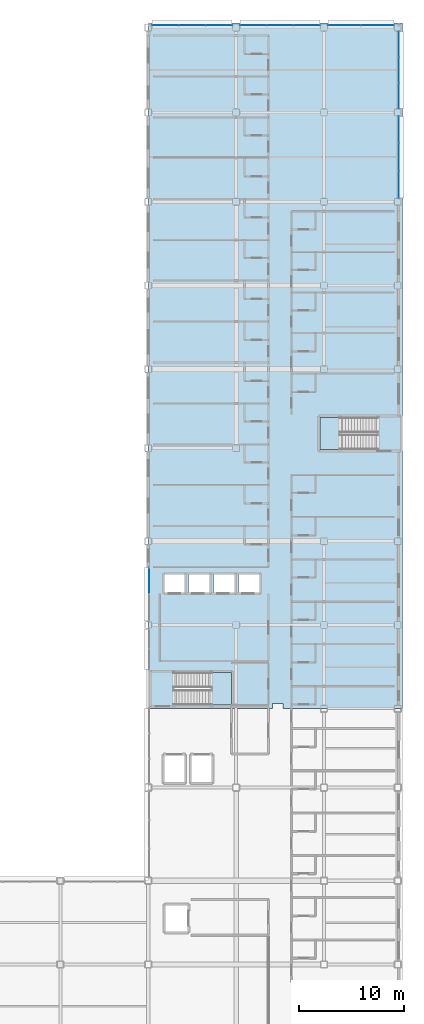
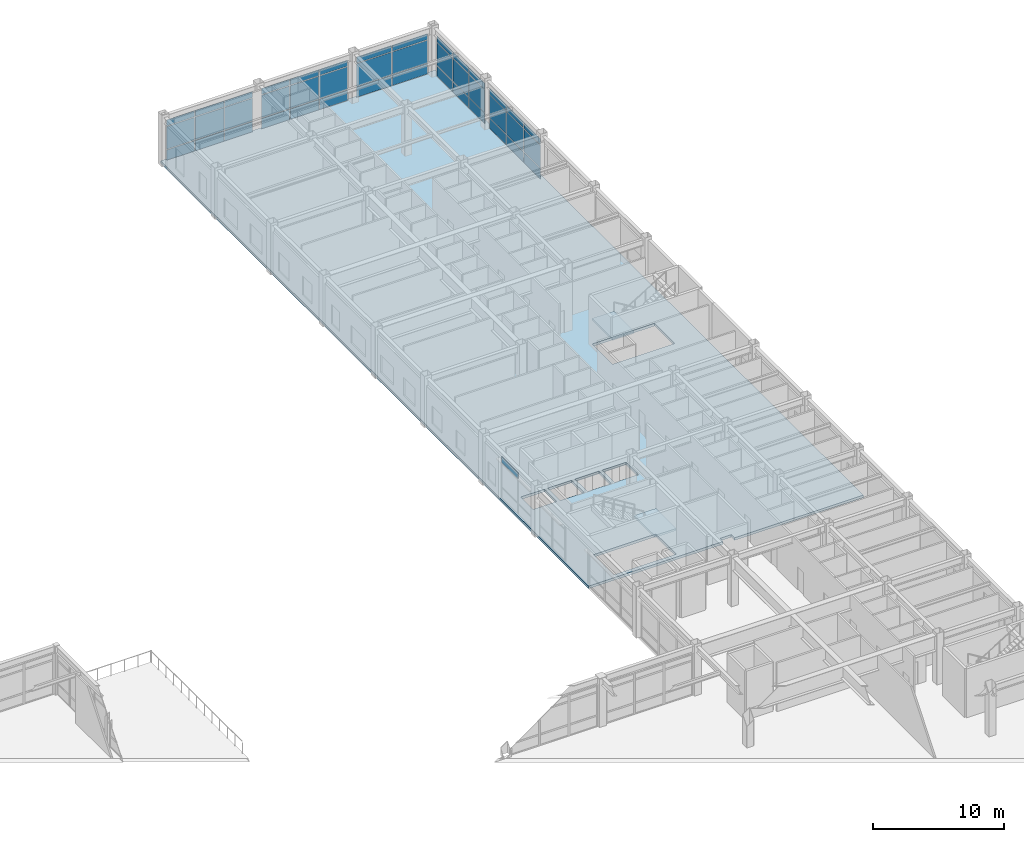
# One storey, part 71 of 93: 43 plates, 3 slabs, 8 elements without a shape of their own.
"""IFC4 building model written with IfcOpenShell, lengths in metres."""

from ifc_helpers import new_model, si_unit, direction, frame, origin, origin_2d, place, context, subcontext, project, spatial, polyline, rectangle, outline, extrude, material, layer, layer_set, type_object, element, aggregate, save


model = new_model("IFC4")

# Units and contexts
model_context = context("Model", 3, precision=1e-05, world=origin(), true_north=direction((0.0, 1.0)))
body_context = subcontext(model_context, "Body", "Model", "MODEL_VIEW")
ifc_project = project(units=[si_unit("LENGTHUNIT", "METRE"), si_unit("AREAUNIT", "SQUARE_METRE"), si_unit("VOLUMEUNIT", "CUBIC_METRE"), si_unit("PLANEANGLEUNIT", "RADIAN"), si_unit("MASSUNIT", "GRAM", prefix="KILO")], contexts=[model_context])

# Site, building, storey
site_placement = place(None, origin())
site = spatial("IfcSite", under=ifc_project, at=site_placement, CompositionType="ELEMENT")
building_placement = place(site_placement, origin())
building = spatial("IfcBuilding", under=site, at=building_placement, Name="Kazehara Bluff Congress Hotel", CompositionType="ELEMENT")
storey_placement = place(building_placement, frame((0.0, 0.0, 15.0)))
storey = spatial("IfcBuildingStorey", under=building, at=storey_placement, Name="L03", CompositionType="ELEMENT", Elevation=15.0)

# Curtain wall, plates
ifc_material_1 = material(Name="Anodised aluminium", Category="aluminium")
ifc_layer_1 = layer(ifc_material_1, 0.159912109375)
ifc_layer_set_1 = layer_set([ifc_layer_1], Name="Anodised aluminium")
curtain_wall_type_1 = type_object("IfcCurtainWallType", Name="TP-CW-147", PredefinedType="NOTDEFINED", material=ifc_layer_set_1)
curtain_wall_1_placement = place(storey_placement, origin())
curtain_wall_1 = element("IfcCurtainWall", 1, at=curtain_wall_1_placement, inside=storey, type_object=curtain_wall_type_1, Name="L03 curtain wall CW-147 CW-ENC-V5-L03-16765-10118", PredefinedType="NOTDEFINED")
ifc_material_2 = material(Name="Insulated low-E double glazing", Category="glass")
ifc_layer_2 = layer(ifc_material_2, 0.028076171875)
ifc_layer_set_2 = layer_set([ifc_layer_2], Name="Insulated low-E double glazing")
plate_type = type_object("IfcPlateType", Name="TP-CWP-01", PredefinedType="CURTAIN_PANEL", material=ifc_layer_set_2)
plate_1_placement = place(storey_placement, frame((167.64990234375, 103.7919921875, 0.06494140625), z_axis=(0.0, 0.0, 1.0), x_axis=(0.0, -1.0, 0.0)))
plate_1 = element("IfcPlate", 2, at=plate_1_placement, type_object=plate_type, Name="CW-147 panel 1.1", PredefinedType="CURTAIN_PANEL", context=body_context, shape_type="SweptSolid", body=[
    extrude(rectangle(XDim=2.535888671875, YDim=0.028076171875, at=origin_2d()), origin(), (0.0, 0.0, 1.0), 0.952392578125),
])
plate_2_placement = place(storey_placement, frame((167.64990234375, 103.7919921875, 1.08251953125), z_axis=(0.0, 0.0, 1.0), x_axis=(0.0, -1.0, 0.0)))
plate_2 = element("IfcPlate", 3, at=plate_2_placement, type_object=plate_type, Name="CW-147 panel 1.2", PredefinedType="CURTAIN_PANEL", context=body_context, shape_type="SweptSolid", body=[
    extrude(rectangle(XDim=2.535888671875, YDim=0.028076171875, at=origin_2d()), origin(), (0.0, 0.0, 1.0), 2.1201171875),
])
plate_3_placement = place(storey_placement, frame((167.64990234375, 103.7919921875, 3.267578125), z_axis=(0.0, 0.0, 1.0), x_axis=(0.0, -1.0, 0.0)))
plate_3 = element("IfcPlate", 4, at=plate_3_placement, type_object=plate_type, Name="CW-147 panel 1.3", PredefinedType="CURTAIN_PANEL", context=body_context, shape_type="SweptSolid", body=[
    extrude(rectangle(XDim=2.535888671875, YDim=0.028076171875, at=origin_2d()), origin(), (0.0, 0.0, 1.0), 0.552490234375),
])
plate_4_placement = place(storey_placement, frame((167.64990234375, 101.175048828125, 0.06494140625), z_axis=(0.0, 0.0, 1.0), x_axis=(0.0, -1.0, 0.0)))
plate_4 = element("IfcPlate", 5, at=plate_4_placement, type_object=plate_type, Name="CW-147 panel 2.1", PredefinedType="CURTAIN_PANEL", context=body_context, shape_type="SweptSolid", body=[
    extrude(rectangle(XDim=2.568359375, YDim=0.028076171875, at=origin_2d()), origin(), (0.0, 0.0, 1.0), 0.952392578125),
])
plate_5_placement = place(storey_placement, frame((167.64990234375, 101.175048828125, 1.08251953125), z_axis=(0.0, 0.0, 1.0), x_axis=(0.0, -1.0, 0.0)))
plate_5 = element("IfcPlate", 6, at=plate_5_placement, type_object=plate_type, Name="CW-147 panel 2.2", PredefinedType="CURTAIN_PANEL", context=body_context, shape_type="SweptSolid", body=[
    extrude(rectangle(XDim=2.568359375, YDim=0.028076171875, at=origin_2d()), origin(), (0.0, 0.0, 1.0), 2.1201171875),
])
plate_6_placement = place(storey_placement, frame((167.64990234375, 101.175048828125, 3.267578125), z_axis=(0.0, 0.0, 1.0), x_axis=(0.0, -1.0, 0.0)))
plate_6 = element("IfcPlate", 7, at=plate_6_placement, type_object=plate_type, Name="CW-147 panel 2.3", PredefinedType="CURTAIN_PANEL", context=body_context, shape_type="SweptSolid", body=[
    extrude(rectangle(XDim=2.568359375, YDim=0.028076171875, at=origin_2d()), origin(), (0.0, 0.0, 1.0), 0.552490234375),
])
plate_7_placement = place(storey_placement, frame((167.64990234375, 98.557861328125, 0.06494140625), z_axis=(0.0, 0.0, 1.0), x_axis=(0.0, -1.0, 0.0)))
plate_7 = element("IfcPlate", 8, at=plate_7_placement, type_object=plate_type, Name="CW-147 panel 3.1", PredefinedType="CURTAIN_PANEL", context=body_context, shape_type="SweptSolid", body=[
    extrude(rectangle(XDim=2.535888671875, YDim=0.028076171875, at=origin_2d()), origin(), (0.0, 0.0, 1.0), 0.952392578125),
])
plate_8_placement = place(storey_placement, frame((167.64990234375, 98.557861328125, 1.08251953125), z_axis=(0.0, 0.0, 1.0), x_axis=(0.0, -1.0, 0.0)))
plate_8 = element("IfcPlate", 9, at=plate_8_placement, type_object=plate_type, Name="CW-147 panel 3.2", PredefinedType="CURTAIN_PANEL", context=body_context, shape_type="SweptSolid", body=[
    extrude(rectangle(XDim=2.535888671875, YDim=0.028076171875, at=origin_2d()), origin(), (0.0, 0.0, 1.0), 2.1201171875),
])
plate_9_placement = place(storey_placement, frame((167.64990234375, 98.557861328125, 3.267578125), z_axis=(0.0, 0.0, 1.0), x_axis=(0.0, -1.0, 0.0)))
plate_9 = element("IfcPlate", 10, at=plate_9_placement, type_object=plate_type, Name="CW-147 panel 3.3", PredefinedType="CURTAIN_PANEL", context=body_context, shape_type="SweptSolid", body=[
    extrude(rectangle(XDim=2.535888671875, YDim=0.028076171875, at=origin_2d()), origin(), (0.0, 0.0, 1.0), 0.552490234375),
])
aggregate(curtain_wall_1, [plate_1, plate_2, plate_3, plate_4, plate_5, plate_6, plate_7, plate_8, plate_9])

ifc_material_3 = material(Name="Anodised aluminium", Category="aluminium")
ifc_layer_3 = layer(ifc_material_3, 0.159912109375)
ifc_layer_set_3 = layer_set([ifc_layer_3], Name="Anodised aluminium")
curtain_wall_type_2 = type_object("IfcCurtainWallType", Name="TP-CW-140", PredefinedType="NOTDEFINED", material=ifc_layer_set_3)
curtain_wall_2_placement = place(storey_placement, origin())
curtain_wall_2 = element("IfcCurtainWall", 11, at=curtain_wall_2_placement, inside=storey, type_object=curtain_wall_type_2, Name="L03 curtain wall CW-140 CW-ENC-V5-L03-16765-10950", PredefinedType="NOTDEFINED")
plate_10_placement = place(storey_placement, frame((167.64990234375, 111.967041015625, 0.06494140625), z_axis=(0.0, 0.0, 1.0), x_axis=(0.0, -1.0, 0.0)))
plate_10 = element("IfcPlate", 12, at=plate_10_placement, type_object=plate_type, Name="CW-140 panel 1.1", PredefinedType="CURTAIN_PANEL", context=body_context, shape_type="SweptSolid", body=[
    extrude(rectangle(XDim=2.3857421875, YDim=0.028076171875, at=origin_2d()), origin(), (0.0, 0.0, 1.0), 0.952392578125),
])
plate_11_placement = place(storey_placement, frame((167.64990234375, 111.967041015625, 1.08251953125), z_axis=(0.0, 0.0, 1.0), x_axis=(0.0, -1.0, 0.0)))
plate_11 = element("IfcPlate", 13, at=plate_11_placement, type_object=plate_type, Name="CW-140 panel 1.2", PredefinedType="CURTAIN_PANEL", context=body_context, shape_type="SweptSolid", body=[
    extrude(rectangle(XDim=2.3857421875, YDim=0.028076171875, at=origin_2d()), origin(), (0.0, 0.0, 1.0), 2.1201171875),
])
plate_12_placement = place(storey_placement, frame((167.64990234375, 111.967041015625, 3.267578125), z_axis=(0.0, 0.0, 1.0), x_axis=(0.0, -1.0, 0.0)))
plate_12 = element("IfcPlate", 14, at=plate_12_placement, type_object=plate_type, Name="CW-140 panel 1.3", PredefinedType="CURTAIN_PANEL", context=body_context, shape_type="SweptSolid", body=[
    extrude(rectangle(XDim=2.3857421875, YDim=0.028076171875, at=origin_2d()), origin(), (0.0, 0.0, 1.0), 0.552490234375),
])
plate_13_placement = place(storey_placement, frame((167.64990234375, 109.5, 0.06494140625), z_axis=(0.0, 0.0, 1.0), x_axis=(0.0, -1.0, 0.0)))
plate_13 = element("IfcPlate", 15, at=plate_13_placement, type_object=plate_type, Name="CW-140 panel 2.1", PredefinedType="CURTAIN_PANEL", context=body_context, shape_type="SweptSolid", body=[
    extrude(rectangle(XDim=2.418212890625, YDim=0.028076171875, at=origin_2d()), origin(), (0.0, 0.0, 1.0), 0.952392578125),
])
plate_14_placement = place(storey_placement, frame((167.64990234375, 109.5, 1.08251953125), z_axis=(0.0, 0.0, 1.0), x_axis=(0.0, -1.0, 0.0)))
plate_14 = element("IfcPlate", 16, at=plate_14_placement, type_object=plate_type, Name="CW-140 panel 2.2", PredefinedType="CURTAIN_PANEL", context=body_context, shape_type="SweptSolid", body=[
    extrude(rectangle(XDim=2.418212890625, YDim=0.028076171875, at=origin_2d()), origin(), (0.0, 0.0, 1.0), 2.1201171875),
])
plate_15_placement = place(storey_placement, frame((167.64990234375, 109.5, 3.267578125), z_axis=(0.0, 0.0, 1.0), x_axis=(0.0, -1.0, 0.0)))
plate_15 = element("IfcPlate", 17, at=plate_15_placement, type_object=plate_type, Name="CW-140 panel 2.3", PredefinedType="CURTAIN_PANEL", context=body_context, shape_type="SweptSolid", body=[
    extrude(rectangle(XDim=2.418212890625, YDim=0.028076171875, at=origin_2d()), origin(), (0.0, 0.0, 1.0), 0.552490234375),
])
plate_16_placement = place(storey_placement, frame((167.64990234375, 107.032958984375, 0.06494140625), z_axis=(0.0, 0.0, 1.0), x_axis=(0.0, -1.0, 0.0)))
plate_16 = element("IfcPlate", 18, at=plate_16_placement, type_object=plate_type, Name="CW-140 panel 3.1", PredefinedType="CURTAIN_PANEL", context=body_context, shape_type="SweptSolid", body=[
    extrude(rectangle(XDim=2.3857421875, YDim=0.028076171875, at=origin_2d()), origin(), (0.0, 0.0, 1.0), 0.952392578125),
])
plate_17_placement = place(storey_placement, frame((167.64990234375, 107.032958984375, 1.08251953125), z_axis=(0.0, 0.0, 1.0), x_axis=(0.0, -1.0, 0.0)))
plate_17 = element("IfcPlate", 19, at=plate_17_placement, type_object=plate_type, Name="CW-140 panel 3.2", PredefinedType="CURTAIN_PANEL", context=body_context, shape_type="SweptSolid", body=[
    extrude(rectangle(XDim=2.3857421875, YDim=0.028076171875, at=origin_2d()), origin(), (0.0, 0.0, 1.0), 2.1201171875),
])
plate_18_placement = place(storey_placement, frame((167.64990234375, 107.032958984375, 3.267578125), z_axis=(0.0, 0.0, 1.0), x_axis=(0.0, -1.0, 0.0)))
plate_18 = element("IfcPlate", 20, at=plate_18_placement, type_object=plate_type, Name="CW-140 panel 3.3", PredefinedType="CURTAIN_PANEL", context=body_context, shape_type="SweptSolid", body=[
    extrude(rectangle(XDim=2.3857421875, YDim=0.028076171875, at=origin_2d()), origin(), (0.0, 0.0, 1.0), 0.552490234375),
])
aggregate(curtain_wall_2, [plate_10, plate_11, plate_12, plate_13, plate_14, plate_15, plate_16, plate_17, plate_18])

ifc_material_4 = material(Name="Anodised aluminium", Category="aluminium")
ifc_layer_4 = layer(ifc_material_4, 0.159912109375)
ifc_layer_set_4 = layer_set([ifc_layer_4], Name="Anodised aluminium")
curtain_wall_type_3 = type_object("IfcCurtainWallType", Name="TP-CW-24", PredefinedType="NOTDEFINED", material=ifc_layer_set_4)
curtain_wall_3_placement = place(storey_placement, origin())
curtain_wall_3 = element("IfcCurtainWall", 21, at=curtain_wall_3_placement, inside=storey, type_object=curtain_wall_type_3, Name="L03 curtain wall CW-24 CW-ENC-V5-L03-14790-11378", PredefinedType="NOTDEFINED")
plate_19_placement = place(storey_placement, frame((145.3330078125, 113.780029296875, 0.06494140625), z_axis=(0.0, 0.0, 1.0), x_axis=(1.0, 0.0, 0.0)))
plate_19 = element("IfcPlate", 22, at=plate_19_placement, type_object=plate_type, Name="CW-24 panel 1.1", PredefinedType="CURTAIN_PANEL", context=body_context, shape_type="SweptSolid", body=[
    extrude(rectangle(XDim=2.48583984375, YDim=0.028076171875, at=origin_2d()), origin(), (0.0, 0.0, 1.0), 0.952392578125),
])
plate_20_placement = place(storey_placement, frame((145.3330078125, 113.780029296875, 1.08251953125), z_axis=(0.0, 0.0, 1.0), x_axis=(1.0, 0.0, 0.0)))
plate_20 = element("IfcPlate", 23, at=plate_20_placement, type_object=plate_type, Name="CW-24 panel 1.2", PredefinedType="CURTAIN_PANEL", context=body_context, shape_type="SweptSolid", body=[
    extrude(rectangle(XDim=2.48583984375, YDim=0.028076171875, at=origin_2d()), origin(), (0.0, 0.0, 1.0), 2.1201171875),
])
plate_21_placement = place(storey_placement, frame((145.3330078125, 113.780029296875, 3.267578125), z_axis=(0.0, 0.0, 1.0), x_axis=(1.0, 0.0, 0.0)))
plate_21 = element("IfcPlate", 24, at=plate_21_placement, type_object=plate_type, Name="CW-24 panel 1.3", PredefinedType="CURTAIN_PANEL", context=body_context, shape_type="SweptSolid", body=[
    extrude(rectangle(XDim=2.48583984375, YDim=0.028076171875, at=origin_2d()), origin(), (0.0, 0.0, 1.0), 0.552490234375),
])
plate_22_placement = place(storey_placement, frame((147.89990234375, 113.780029296875, 0.06494140625), z_axis=(0.0, 0.0, 1.0), x_axis=(1.0, 0.0, 0.0)))
plate_22 = element("IfcPlate", 25, at=plate_22_placement, type_object=plate_type, Name="CW-24 panel 2.1", PredefinedType="CURTAIN_PANEL", context=body_context, shape_type="SweptSolid", body=[
    extrude(rectangle(XDim=2.518310546875, YDim=0.028076171875, at=origin_2d()), origin(), (0.0, 0.0, 1.0), 0.952392578125),
])
plate_23_placement = place(storey_placement, frame((147.89990234375, 113.780029296875, 1.08251953125), z_axis=(0.0, 0.0, 1.0), x_axis=(1.0, 0.0, 0.0)))
plate_23 = element("IfcPlate", 26, at=plate_23_placement, type_object=plate_type, Name="CW-24 panel 2.2", PredefinedType="CURTAIN_PANEL", context=body_context, shape_type="SweptSolid", body=[
    extrude(rectangle(XDim=2.518310546875, YDim=0.028076171875, at=origin_2d()), origin(), (0.0, 0.0, 1.0), 2.1201171875),
])
plate_24_placement = place(storey_placement, frame((147.89990234375, 113.780029296875, 3.267578125), z_axis=(0.0, 0.0, 1.0), x_axis=(1.0, 0.0, 0.0)))
plate_24 = element("IfcPlate", 27, at=plate_24_placement, type_object=plate_type, Name="CW-24 panel 2.3", PredefinedType="CURTAIN_PANEL", context=body_context, shape_type="SweptSolid", body=[
    extrude(rectangle(XDim=2.518310546875, YDim=0.028076171875, at=origin_2d()), origin(), (0.0, 0.0, 1.0), 0.552490234375),
])
plate_25_placement = place(storey_placement, frame((150.467041015625, 113.780029296875, 0.06494140625), z_axis=(0.0, 0.0, 1.0), x_axis=(1.0, 0.0, 0.0)))
plate_25 = element("IfcPlate", 28, at=plate_25_placement, type_object=plate_type, Name="CW-24 panel 3.1", PredefinedType="CURTAIN_PANEL", context=body_context, shape_type="SweptSolid", body=[
    extrude(rectangle(XDim=2.48583984375, YDim=0.028076171875, at=origin_2d()), origin(), (0.0, 0.0, 1.0), 0.952392578125),
])
plate_26_placement = place(storey_placement, frame((150.467041015625, 113.780029296875, 1.08251953125), z_axis=(0.0, 0.0, 1.0), x_axis=(1.0, 0.0, 0.0)))
plate_26 = element("IfcPlate", 29, at=plate_26_placement, type_object=plate_type, Name="CW-24 panel 3.2", PredefinedType="CURTAIN_PANEL", context=body_context, shape_type="SweptSolid", body=[
    extrude(rectangle(XDim=2.48583984375, YDim=0.028076171875, at=origin_2d()), origin(), (0.0, 0.0, 1.0), 2.1201171875),
])
plate_27_placement = place(storey_placement, frame((150.467041015625, 113.780029296875, 3.267578125), z_axis=(0.0, 0.0, 1.0), x_axis=(1.0, 0.0, 0.0)))
plate_27 = element("IfcPlate", 30, at=plate_27_placement, type_object=plate_type, Name="CW-24 panel 3.3", PredefinedType="CURTAIN_PANEL", context=body_context, shape_type="SweptSolid", body=[
    extrude(rectangle(XDim=2.48583984375, YDim=0.028076171875, at=origin_2d()), origin(), (0.0, 0.0, 1.0), 0.552490234375),
])
aggregate(curtain_wall_3, [plate_19, plate_20, plate_21, plate_22, plate_23, plate_24, plate_25, plate_26, plate_27])

curtain_wall_4_placement = place(storey_placement, origin())
curtain_wall_4 = element("IfcCurtainWall", 31, at=curtain_wall_4_placement, inside=storey, type_object=curtain_wall_type_3, Name="L03 curtain wall CW-24 CW-ENC-V5-L03-15630-11378", PredefinedType="NOTDEFINED")
plate_28_placement = place(storey_placement, frame((153.73291015625, 113.780029296875, 0.06494140625), z_axis=(0.0, 0.0, 1.0), x_axis=(1.0, 0.0, 0.0)))
plate_28 = element("IfcPlate", 32, at=plate_28_placement, type_object=plate_type, Name="CW-24 panel 1.1", PredefinedType="CURTAIN_PANEL", context=body_context, shape_type="SweptSolid", body=[
    extrude(rectangle(XDim=2.48583984375, YDim=0.028076171875, at=origin_2d()), origin(), (0.0, 0.0, 1.0), 0.952392578125),
])
plate_29_placement = place(storey_placement, frame((153.73291015625, 113.780029296875, 1.08251953125), z_axis=(0.0, 0.0, 1.0), x_axis=(1.0, 0.0, 0.0)))
plate_29 = element("IfcPlate", 33, at=plate_29_placement, type_object=plate_type, Name="CW-24 panel 1.2", PredefinedType="CURTAIN_PANEL", context=body_context, shape_type="SweptSolid", body=[
    extrude(rectangle(XDim=2.48583984375, YDim=0.028076171875, at=origin_2d()), origin(), (0.0, 0.0, 1.0), 2.1201171875),
])
plate_30_placement = place(storey_placement, frame((153.73291015625, 113.780029296875, 3.267578125), z_axis=(0.0, 0.0, 1.0), x_axis=(1.0, 0.0, 0.0)))
plate_30 = element("IfcPlate", 34, at=plate_30_placement, type_object=plate_type, Name="CW-24 panel 1.3", PredefinedType="CURTAIN_PANEL", context=body_context, shape_type="SweptSolid", body=[
    extrude(rectangle(XDim=2.48583984375, YDim=0.028076171875, at=origin_2d()), origin(), (0.0, 0.0, 1.0), 0.552490234375),
])
plate_31_placement = place(storey_placement, frame((156.300048828125, 113.780029296875, 0.06494140625), z_axis=(0.0, 0.0, 1.0), x_axis=(1.0, 0.0, 0.0)))
plate_31 = element("IfcPlate", 35, at=plate_31_placement, type_object=plate_type, Name="CW-24 panel 2.1", PredefinedType="CURTAIN_PANEL", context=body_context, shape_type="SweptSolid", body=[
    extrude(rectangle(XDim=2.518310546875, YDim=0.028076171875, at=origin_2d()), origin(), (0.0, 0.0, 1.0), 0.952392578125),
])
plate_32_placement = place(storey_placement, frame((156.300048828125, 113.780029296875, 1.08251953125), z_axis=(0.0, 0.0, 1.0), x_axis=(1.0, 0.0, 0.0)))
plate_32 = element("IfcPlate", 36, at=plate_32_placement, type_object=plate_type, Name="CW-24 panel 2.2", PredefinedType="CURTAIN_PANEL", context=body_context, shape_type="SweptSolid", body=[
    extrude(rectangle(XDim=2.518310546875, YDim=0.028076171875, at=origin_2d()), origin(), (0.0, 0.0, 1.0), 2.1201171875),
])
plate_33_placement = place(storey_placement, frame((156.300048828125, 113.780029296875, 3.267578125), z_axis=(0.0, 0.0, 1.0), x_axis=(1.0, 0.0, 0.0)))
plate_33 = element("IfcPlate", 37, at=plate_33_placement, type_object=plate_type, Name="CW-24 panel 2.3", PredefinedType="CURTAIN_PANEL", context=body_context, shape_type="SweptSolid", body=[
    extrude(rectangle(XDim=2.518310546875, YDim=0.028076171875, at=origin_2d()), origin(), (0.0, 0.0, 1.0), 0.552490234375),
])
plate_34_placement = place(storey_placement, frame((158.8671875, 113.780029296875, 0.06494140625), z_axis=(0.0, 0.0, 1.0), x_axis=(1.0, 0.0, 0.0)))
plate_34 = element("IfcPlate", 38, at=plate_34_placement, type_object=plate_type, Name="CW-24 panel 3.1", PredefinedType="CURTAIN_PANEL", context=body_context, shape_type="SweptSolid", body=[
    extrude(rectangle(XDim=2.48583984375, YDim=0.028076171875, at=origin_2d()), origin(), (0.0, 0.0, 1.0), 0.952392578125),
])
plate_35_placement = place(storey_placement, frame((158.8671875, 113.780029296875, 1.08251953125), z_axis=(0.0, 0.0, 1.0), x_axis=(1.0, 0.0, 0.0)))
plate_35 = element("IfcPlate", 39, at=plate_35_placement, type_object=plate_type, Name="CW-24 panel 3.2", PredefinedType="CURTAIN_PANEL", context=body_context, shape_type="SweptSolid", body=[
    extrude(rectangle(XDim=2.48583984375, YDim=0.028076171875, at=origin_2d()), origin(), (0.0, 0.0, 1.0), 2.1201171875),
])
plate_36_placement = place(storey_placement, frame((158.8671875, 113.780029296875, 3.267578125), z_axis=(0.0, 0.0, 1.0), x_axis=(1.0, 0.0, 0.0)))
plate_36 = element("IfcPlate", 40, at=plate_36_placement, type_object=plate_type, Name="CW-24 panel 3.3", PredefinedType="CURTAIN_PANEL", context=body_context, shape_type="SweptSolid", body=[
    extrude(rectangle(XDim=2.48583984375, YDim=0.028076171875, at=origin_2d()), origin(), (0.0, 0.0, 1.0), 0.552490234375),
])
aggregate(curtain_wall_4, [plate_28, plate_29, plate_30, plate_31, plate_32, plate_33, plate_34, plate_35, plate_36])

ifc_material_5 = material(Name="Anodised aluminium", Category="aluminium")
ifc_layer_5 = layer(ifc_material_5, 0.159912109375)
ifc_layer_set_5 = layer_set([ifc_layer_5], Name="Anodised aluminium")
curtain_wall_type_4 = type_object("IfcCurtainWallType", Name="TP-CW-145", PredefinedType="NOTDEFINED", material=ifc_layer_set_5)
curtain_wall_5_placement = place(storey_placement, origin())
curtain_wall_5 = element("IfcCurtainWall", 41, at=curtain_wall_5_placement, inside=storey, type_object=curtain_wall_type_4, Name="L03 curtain wall CW-145 CW-ENC-V5-L03-16402-11378", PredefinedType="NOTDEFINED")
plate_37_placement = place(storey_placement, frame((162.43994140625, 113.780029296875, 0.06005859375), z_axis=(0.0, 0.0, 1.0), x_axis=(1.0, 0.0, 0.0)))
plate_37 = element("IfcPlate", 42, at=plate_37_placement, type_object=plate_type, Name="CW-145 panel 1.1", PredefinedType="CURTAIN_PANEL", context=body_context, shape_type="SweptSolid", body=[
    extrude(rectangle(XDim=3.110107421875, YDim=0.028076171875, at=origin_2d()), origin(), (0.0, 0.0, 1.0), 0.9599609375),
])
plate_38_placement = place(storey_placement, frame((162.43994140625, 113.780029296875, 1.080078125), z_axis=(0.0, 0.0, 1.0), x_axis=(1.0, 0.0, 0.0)))
plate_38 = element("IfcPlate", 43, at=plate_38_placement, type_object=plate_type, Name="CW-145 panel 1.2", PredefinedType="CURTAIN_PANEL", context=body_context, shape_type="SweptSolid", body=[
    extrude(rectangle(XDim=3.110107421875, YDim=0.028076171875, at=origin_2d()), origin(), (0.0, 0.0, 1.0), 2.125),
])
plate_39_placement = place(storey_placement, frame((162.43994140625, 113.780029296875, 3.264892578125), z_axis=(0.0, 0.0, 1.0), x_axis=(1.0, 0.0, 0.0)))
plate_39 = element("IfcPlate", 44, at=plate_39_placement, type_object=plate_type, Name="CW-145 panel 1.3", PredefinedType="CURTAIN_PANEL", context=body_context, shape_type="SweptSolid", body=[
    extrude(rectangle(XDim=3.110107421875, YDim=0.028076171875, at=origin_2d()), origin(), (0.0, 0.0, 1.0), 0.56005859375),
])
plate_40_placement = place(storey_placement, frame((165.610107421875, 113.780029296875, 0.06005859375), z_axis=(0.0, 0.0, 1.0), x_axis=(1.0, 0.0, 0.0)))
plate_40 = element("IfcPlate", 45, at=plate_40_placement, type_object=plate_type, Name="CW-145 panel 2.1", PredefinedType="CURTAIN_PANEL", context=body_context, shape_type="SweptSolid", body=[
    extrude(rectangle(XDim=3.110107421875, YDim=0.028076171875, at=origin_2d()), origin(), (0.0, 0.0, 1.0), 0.9599609375),
])
plate_41_placement = place(storey_placement, frame((165.610107421875, 113.780029296875, 1.080078125), z_axis=(0.0, 0.0, 1.0), x_axis=(1.0, 0.0, 0.0)))
plate_41 = element("IfcPlate", 46, at=plate_41_placement, type_object=plate_type, Name="CW-145 panel 2.2", PredefinedType="CURTAIN_PANEL", context=body_context, shape_type="SweptSolid", body=[
    extrude(rectangle(XDim=3.110107421875, YDim=0.028076171875, at=origin_2d()), origin(), (0.0, 0.0, 1.0), 2.125),
])
plate_42_placement = place(storey_placement, frame((165.610107421875, 113.780029296875, 3.264892578125), z_axis=(0.0, 0.0, 1.0), x_axis=(1.0, 0.0, 0.0)))
plate_42 = element("IfcPlate", 47, at=plate_42_placement, type_object=plate_type, Name="CW-145 panel 2.3", PredefinedType="CURTAIN_PANEL", context=body_context, shape_type="SweptSolid", body=[
    extrude(rectangle(XDim=3.110107421875, YDim=0.028076171875, at=origin_2d()), origin(), (0.0, 0.0, 1.0), 0.56005859375),
])
aggregate(curtain_wall_5, [plate_37, plate_38, plate_39, plate_40, plate_41, plate_42])

# Curtain wall, plate
ifc_material_6 = material(Name="Anodised aluminium", Category="aluminium")
ifc_layer_6 = layer(ifc_material_6, 0.159912109375)
ifc_layer_set_6 = layer_set([ifc_layer_6], Name="Anodised aluminium")
curtain_wall_type_5 = type_object("IfcCurtainWallType", Name="TP-CW-151", PredefinedType="NOTDEFINED", material=ifc_layer_set_6)
curtain_wall_6_placement = place(storey_placement, origin())
curtain_wall_6 = element("IfcCurtainWall", 48, at=curtain_wall_6_placement, inside=storey, type_object=curtain_wall_type_5, Name="L03 curtain wall CW-151 CW-ENC-V5-L03-14380-5939", PredefinedType="NOTDEFINED")
plate_43_placement = place(storey_placement, frame((143.800048828125, 60.6787109375, 3.364990234375), z_axis=(0.0, 0.0, 1.0), x_axis=(0.0, 1.0, 0.0)))
plate_43 = element("IfcPlate", 49, at=plate_43_placement, type_object=plate_type, Name="CW-151 panel 2.3", PredefinedType="CURTAIN_PANEL", context=body_context, shape_type="SweptSolid", body=[
    extrude(rectangle(XDim=2.5224609375, YDim=0.028076171875, at=origin_2d()), origin(), (0.0, 0.0, 1.0), 0.56005859375),
])
aggregate(curtain_wall_6, [plate_43])

# Slab
ifc_material_7 = material(Name="Concrete C36/45", Category="concrete")
ifc_layer_7 = layer(ifc_material_7, 0.239990234375)
ifc_layer_set_7 = layer_set([ifc_layer_7], Name="Concrete C36/45")
slab_type_1 = type_object("IfcSlabType", Name="TP-SL-240", PredefinedType="FLOOR", material=ifc_layer_set_7)
slab_1_placement = place(storey_placement, frame((0.0, 0.0, -0.239990234375)))
element("IfcSlab", 50, at=slab_1_placement, inside=storey, type_object=slab_type_1, Name="L03 V5 composite floor slab N", PredefinedType="FLOOR", context=body_context, shape_type="SweptSolid", body=[
    extrude(outline(polyline([(168.0, 114.0), (168.0, 48.449951171875), (156.60009765625, 48.449951171875), (156.60009765625, 48.949951171875), (155.60009765625, 48.949951171875), (155.60009765625, 48.449951171875), (143.699951171875, 48.449951171875), (143.699951171875, 114.0), (168.0, 114.0)]), holes=[polyline([(146.125, 48.800048828125), (151.64990234375, 48.800048828125), (151.64990234375, 51.89990234375), (146.125, 51.89990234375), (146.125, 48.800048828125)]), polyline([(165.625, 76.300048828125), (160.10009765625, 76.300048828125), (160.10009765625, 73.199951171875), (165.625, 73.199951171875), (165.625, 76.300048828125)]), polyline([(145.14990234375, 59.449951171875), (147.25, 59.449951171875), (147.25, 61.35009765625), (145.14990234375, 61.35009765625), (145.14990234375, 59.449951171875)]), polyline([(147.550048828125, 59.449951171875), (149.64990234375, 59.449951171875), (149.64990234375, 61.35009765625), (147.550048828125, 61.35009765625), (147.550048828125, 59.449951171875)]), polyline([(149.949951171875, 59.449951171875), (152.050048828125, 59.449951171875), (152.050048828125, 61.35009765625), (149.949951171875, 61.35009765625), (149.949951171875, 59.449951171875)]), polyline([(152.35009765625, 59.449951171875), (154.449951171875, 59.449951171875), (154.449951171875, 61.35009765625), (152.35009765625, 61.35009765625), (152.35009765625, 59.449951171875)])]), origin(), (0.0, 0.0, 1.0), 0.239990234375),
])

# Stair, slab
ifc_material_8 = material(Name="Concrete C36/45", Category="concrete")
stair_type = type_object("IfcStairType", Name="TP-ST-T04", PredefinedType="HALF_TURN_STAIR", material=ifc_material_8)
stair_1_placement = place(storey_placement, origin())
stair_1 = element("IfcStair", 51, at=stair_1_placement, inside=storey, type_object=stair_type, Name="L03 Escape stair ST-11", PredefinedType="HALF_TURN_STAIR")
ifc_material_9 = material(Name="Concrete C36/45", Category="concrete")
ifc_layer_8 = layer(ifc_material_9, 0.199951171875)
ifc_layer_set_8 = layer_set([ifc_layer_8], Name="Concrete C36/45")
slab_type_2 = type_object("IfcSlabType", Name="TP-SLD-200", PredefinedType="LANDING", material=ifc_layer_set_8)
slab_2_placement = place(storey_placement, frame((0.0, 0.0, 2.199951171875)))
slab_2 = element("IfcSlab", 52, at=slab_2_placement, type_object=slab_type_2, Name="ST-11 landing 1", PredefinedType="LANDING", context=body_context, shape_type="SweptSolid", body=[
    extrude(outline(polyline([(149.739990234375, 48.800048828125), (151.64990234375, 48.800048828125), (151.64990234375, 51.89990234375), (149.739990234375, 51.89990234375), (149.739990234375, 48.800048828125)])), origin(), (0.0, 0.0, 1.0), 0.199951171875),
])
aggregate(stair_1, [slab_2])

stair_2_placement = place(storey_placement, origin())
stair_2 = element("IfcStair", 53, at=stair_2_placement, inside=storey, type_object=stair_type, Name="L03 Escape stair ST-12", PredefinedType="HALF_TURN_STAIR")
slab_3_placement = place(storey_placement, frame((0.0, 0.0, 2.199951171875)))
slab_3 = element("IfcSlab", 54, at=slab_3_placement, type_object=slab_type_2, Name="ST-12 landing 1", PredefinedType="LANDING", context=body_context, shape_type="SweptSolid", body=[
    extrude(outline(polyline([(162.010009765625, 76.300048828125), (160.10009765625, 76.300048828125), (160.10009765625, 73.199951171875), (162.010009765625, 73.199951171875), (162.010009765625, 76.300048828125)])), origin(), (0.0, 0.0, 1.0), 0.199951171875),
])
aggregate(stair_2, [slab_3])

save(model, "model.ifc")
